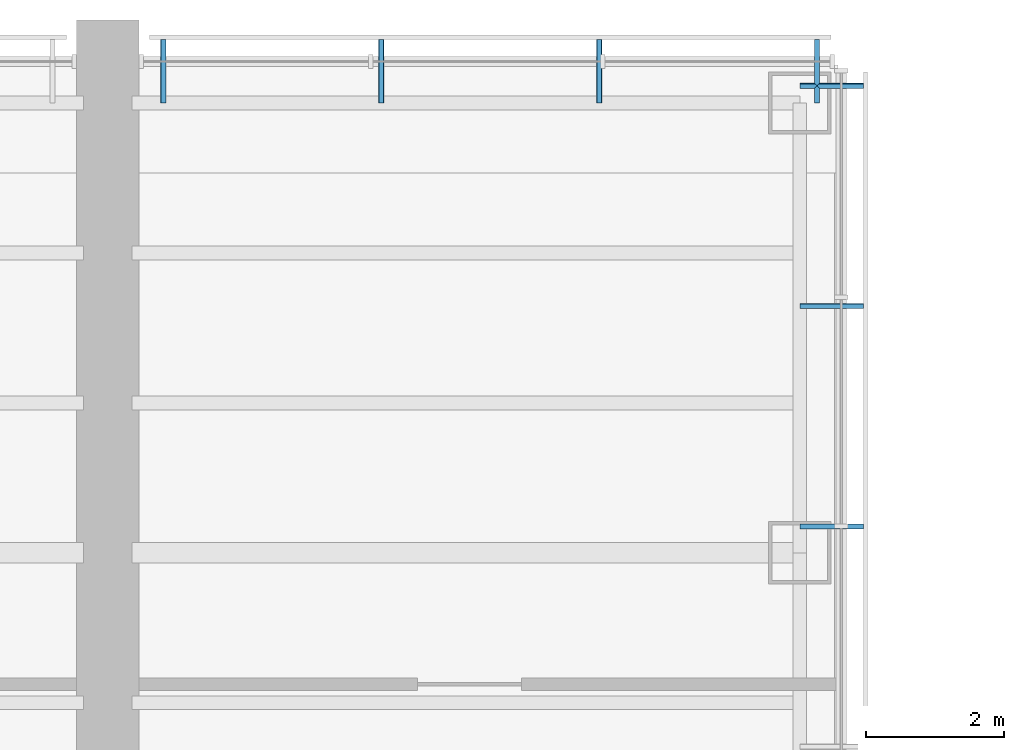
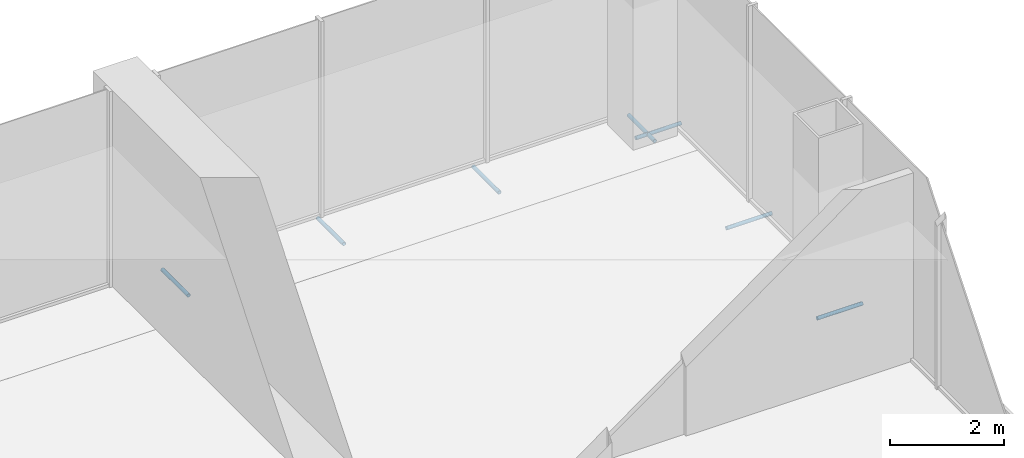
# One storey, part 15 of 17: 7 discrete accessories.
"""IFC4 building model written with IfcOpenShell, lengths in metres."""

import ifcopenshell
import ifcopenshell.guid

model = None  # the IFC model being written
_history = None  # IfcOwnerHistory: only IFC2X3 demands one
_inside = {}  # id of a spatial element -> (the spatial element, [elements in it])
_under = {}  # id of a project, library or spatial element -> (it, [spatial elements below it])
_declared = {}  # id of a project -> (the project, [libraries it declares])
_typed = {}  # id of a type object -> (the type object, [elements of that type])
_made_of = {}  # id of a material, layer set ... -> (it, [elements and type objects made of it])


def new_model(schema):
    """Start an empty IFC model of exactly this schema.

    Asked for "IFC4X3", IfcOpenShell would pick the latest addendum, in which some entities
    have other attributes; the version numbers below select the first issue.
    IFC2X3 requires an IfcOwnerHistory on every rooted entity: one is made here for all.
    """
    global model, _history
    if schema == "IFC4X3":
        model = ifcopenshell.file(schema_version=(4, 3, 0, 0))
    else:
        model = ifcopenshell.file(schema=schema)
    _inside.clear()
    _under.clear()
    _declared.clear()
    _typed.clear()
    _made_of.clear()
    _history = None
    if model.schema == "IFC2X3":
        org = make("IfcOrganization", Name="unknown")
        user = make(
            "IfcPersonAndOrganization",
            ThePerson=make("IfcPerson", FamilyName="unknown"),
            TheOrganization=org,
        )
        app = make(
            "IfcApplication",
            ApplicationDeveloper=org,
            Version="unknown",
            ApplicationFullName="unknown",
            ApplicationIdentifier="unknown",
        )
        _history = make(
            "IfcOwnerHistory",
            OwningUser=user,
            OwningApplication=app,
            ChangeAction="ADDED",
            CreationDate=0,
        )
    return model


def make(cls, **values):
    """One entity of the class cls with the attributes given. An attribute that is None is left unset."""
    return model.create_entity(
        cls, **{name: value for name, value in values.items() if value is not None}
    )


def rooted(cls, **values):
    """An entity with a GlobalId (a new one), such as an element, a storey or a relation."""
    return make(cls, GlobalId=ifcopenshell.guid.new(), OwnerHistory=_history, **values)


def si_unit(unit_type, name, prefix=None):
    """IfcSIUnit, for example si_unit("LENGTHUNIT", "METRE", prefix="MILLI")."""
    return make("IfcSIUnit", UnitType=unit_type, Prefix=prefix, Name=name)


def assignment(units):
    """IfcUnitAssignment: the units of a project."""
    return None if units is None else make("IfcUnitAssignment", Units=units)


def point(xyz):
    """IfcCartesianPoint."""
    return None if xyz is None else make("IfcCartesianPoint", Coordinates=xyz)


def direction(xyz):
    """IfcDirection."""
    return None if xyz is None else make("IfcDirection", DirectionRatios=xyz)


def frame(location, z_axis=None, x_axis=None):
    """IfcAxis2Placement3D, a coordinate frame: its origin and axes. An axis left out is left unset."""
    return make(
        "IfcAxis2Placement3D",
        Location=point(location),
        Axis=direction(z_axis),
        RefDirection=direction(x_axis),
    )


def frame_2d(location, x_axis=None):
    """IfcAxis2Placement2D, a coordinate frame in the plane: its origin and x axis."""
    return make(
        "IfcAxis2Placement2D", Location=point(location), RefDirection=direction(x_axis)
    )


def origin():
    """The frame at (0, 0, 0) with its axes left unset."""
    return frame((0.0, 0.0, 0.0))


def origin_2d():
    """The frame at (0, 0) in the plane with its x axis left unset."""
    return frame_2d((0.0, 0.0))


def place(relative_to, where):
    """IfcLocalPlacement: puts the frame where relative to a parent placement (None: the world)."""
    return make(
        "IfcLocalPlacement", PlacementRelTo=relative_to, RelativePlacement=where
    )


def context(
    kind, dimensions, precision=None, world=None, true_north=None, identifier=None
):
    """IfcGeometricRepresentationContext, for example the 3D "Model" context."""
    return make(
        "IfcGeometricRepresentationContext",
        ContextIdentifier=identifier,
        ContextType=kind,
        CoordinateSpaceDimension=dimensions,
        Precision=precision,
        WorldCoordinateSystem=world,
        TrueNorth=true_north,
    )


def subcontext(parent, identifier, kind, view, scale=None):
    """IfcGeometricRepresentationSubContext, for example "Body" below "Model"."""
    return make(
        "IfcGeometricRepresentationSubContext",
        ContextIdentifier=identifier,
        ContextType=kind,
        ParentContext=parent,
        TargetScale=scale,
        TargetView=view,
    )


def project(units=None, contexts=None):
    """IfcProject with its units and contexts."""
    return rooted(
        "IfcProject",
        Name="project",
        RepresentationContexts=contexts,
        UnitsInContext=assignment(units),
    )


def spatial(cls, under=None, at=None, **own):
    """A site, building, storey or space (cls), placed at a placement, below another one or the project."""
    s = rooted(cls, ObjectPlacement=at, **own)
    if under is not None:
        _under.setdefault(under.id(), (under, []))[1].append(s)
    return s


def profile(cls, at=None, kind="AREA", **sizes):
    """A parametric profile (cls). Its sizes go by their IFC names, for example OverallWidth=200.0."""
    return make(cls, ProfileType=kind, Position=at, **sizes)


def hollow_circle(**sizes):
    """IfcCircleHollowProfileDef."""
    return profile("IfcCircleHollowProfileDef", **sizes)


def extrude(swept, where, along, depth):
    """IfcExtrudedAreaSolid: the profile swept, set in the frame where, extruded along a direction by depth."""
    return make(
        "IfcExtrudedAreaSolid",
        SweptArea=swept,
        Position=where,
        ExtrudedDirection=direction(along),
        Depth=depth,
    )


def shape(context_of_items, identifier, shape_type, items):
    """IfcShapeRepresentation: the items that make up one representation, for example the "Body"."""
    return make(
        "IfcShapeRepresentation",
        ContextOfItems=context_of_items,
        RepresentationIdentifier=identifier,
        RepresentationType=shape_type,
        Items=items,
    )


def material(Name=None, Category=None):
    """IfcMaterial."""
    return make("IfcMaterial", Name=Name, Category=Category)


def material_profile(
    of_material, cross_section, Name=None, Category=None, Priority=None
):
    """IfcMaterialProfile: a cross section and its material."""
    return make(
        "IfcMaterialProfile",
        Name=Name,
        Material=of_material,
        Profile=cross_section,
        Priority=Priority,
        Category=Category,
    )


def profile_set(profiles, Name=None, composite=None):
    """IfcMaterialProfileSet."""
    return make(
        "IfcMaterialProfileSet",
        Name=Name,
        MaterialProfiles=profiles,
        CompositeProfile=composite,
    )


def made_of(thing, what):
    """Note that an element or type object is made of a material, layer set ...; save() writes the relation."""
    if what is not None:
        _made_of.setdefault(what.id(), (what, []))[1].append(thing)
    return thing


def type_object(cls, material=None, **own):
    """A type object (cls), such as IfcWallType, which elements share."""
    return made_of(rooted(cls, **own), material)


def element(
    cls,
    number,
    at=None,
    inside=None,
    cuts=None,
    type_object=None,
    material=None,
    context=None,
    identifier="Body",
    shape_type=None,
    held_by="IfcProductDefinitionShape",
    body=None,
    shapes=None,
    **own,
):
    """One element of the class cls, such as IfcWall. Its Tag is "e" and its number.

    at: its placement. inside: the storey or other place that contains it. cuts: it is an
    opening in that element (IfcRelVoidsElement). A single representation is given by context,
    identifier, shape_type and body (its items); several are given by shapes. held_by: the class
    of the entity that holds the representations. save() writes the other relations.
    """
    e = rooted(cls, Tag="e%d" % number, ObjectPlacement=at, **own)
    if body is not None:
        shapes = [shape(context, identifier, shape_type, body)]
    if shapes is not None:
        e.Representation = make(held_by, Representations=shapes)
    if inside is not None:
        _inside.setdefault(inside.id(), (inside, []))[1].append(e)
    if cuts is not None:
        rooted(
            "IfcRelVoidsElement", RelatingBuildingElement=cuts, RelatedOpeningElement=e
        )
    if type_object is not None:
        _typed.setdefault(type_object.id(), (type_object, []))[1].append(e)
    return made_of(e, material)


def aggregate(whole, parts):
    """IfcRelAggregates: a whole, such as a stair, and the parts it consists of."""
    return rooted("IfcRelAggregates", RelatingObject=whole, RelatedObjects=parts)


def save(model, path):
    """Write the relations noted so far, then the file.

    IfcRelAggregates (storeys below a building ...), IfcRelContainedInSpatialStructure (elements
    in a storey), IfcRelDefinesByType, IfcRelAssociatesMaterial and IfcRelDeclares: one each for
    every whole, place, type object, material and project.
    """
    for whole, parts in _under.values():
        aggregate(whole, parts)
    for where, things in _inside.values():
        rooted(
            "IfcRelContainedInSpatialStructure",
            RelatedElements=things,
            RelatingStructure=where,
        )
    for kind, things in _typed.values():
        rooted("IfcRelDefinesByType", RelatedObjects=things, RelatingType=kind)
    for what, things in _made_of.values():
        rooted("IfcRelAssociatesMaterial", RelatedObjects=things, RelatingMaterial=what)
    for by, libraries in _declared.values():
        rooted("IfcRelDeclares", RelatingContext=by, RelatedDefinitions=libraries)
    model.write(path)


model = new_model("IFC4")

# Units and contexts
model_context = context("Model", 3, precision=1e-05, world=origin(), true_north=direction((0.0, 1.0)))
body_context = subcontext(model_context, "Body", "Model", "MODEL_VIEW")
ifc_project = project(units=[si_unit("LENGTHUNIT", "METRE"), si_unit("AREAUNIT", "SQUARE_METRE"), si_unit("VOLUMEUNIT", "CUBIC_METRE"), si_unit("PLANEANGLEUNIT", "RADIAN"), si_unit("MASSUNIT", "GRAM", prefix="KILO")], contexts=[model_context])

# Site, building, storey
site_placement = place(None, origin())
site = spatial("IfcSite", under=ifc_project, at=site_placement, CompositionType="ELEMENT")
building_placement = place(site_placement, origin())
building = spatial("IfcBuilding", under=site, at=building_placement, Name="Kasaneha Research Tower", CompositionType="ELEMENT")
storey_placement = place(building_placement, frame((0.0, 0.0, 43.60009765625)))
storey = spatial("IfcBuildingStorey", under=building, at=storey_placement, Name="L11", CompositionType="ELEMENT", Elevation=43.60009765625)

# Discrete accessories
ifc_material = material(Name="Steel STK400", Category="steel")
ifc_material_profile = material_profile(ifc_material, hollow_circle(Radius=0.0380859375, WallThickness=0.00390625, at=origin_2d()), Name="CHS-76.3x4.0")
ifc_profile_set = profile_set([ifc_material_profile], Name="Steel STK400")
discrete_accessory_type = type_object("IfcDiscreteAccessoryType", Name="Screen bracket CHS-76.3x4.0", PredefinedType="BRACKET", material=ifc_profile_set)
for number, where, z_axis, x_axis, name in (
    (1, (10.0, 24.200927734375, -0.320068359375), (1.0, 0.0, 0.0), (0.0, 1.0, 0.0), "Screen bracket 3"),
    (2, (10.0, 27.3857421875, -0.320068359375), (1.0, 0.0, 0.0), (0.0, 1.0, 0.0), "Screen bracket 4"),
    (3, (10.0, 30.570556640625, -0.320068359375), (1.0, 0.0, 0.0), (0.0, 1.0, 0.0), "Screen bracket 5"),
    (4, (10.25, 30.320556640625, -0.320068359375), (0.0, 1.0, 0.0), (-1.0, 0.0, 0.0), "Screen bracket 1"),
    (5, (7.10009765625, 30.320556640625, -0.320068359375), (0.0, 1.0, 0.0), (-1.0, 0.0, 0.0), "Screen bracket 2"),
    (6, (3.949951171875, 30.320556640625, -0.320068359375), (0.0, 1.0, 0.0), (-1.0, 0.0, 0.0), "Screen bracket 3"),
    (7, (0.800048828125, 30.320556640625, -0.320068359375), (0.0, 1.0, 0.0), (-1.0, 0.0, 0.0), "Screen bracket 4"),
):
    element("IfcDiscreteAccessory", number, at=place(storey_placement, frame(where, z_axis=z_axis, x_axis=x_axis)), inside=storey, type_object=discrete_accessory_type, Name=name, PredefinedType="BRACKET", context=body_context, shape_type="SweptSolid", body=[
        extrude(hollow_circle(Radius=0.0380859375, WallThickness=0.00390625, at=origin_2d()), origin(), (0.0, 0.0, 1.0), 0.919921875),
    ])

save(model, "model.ifc")
